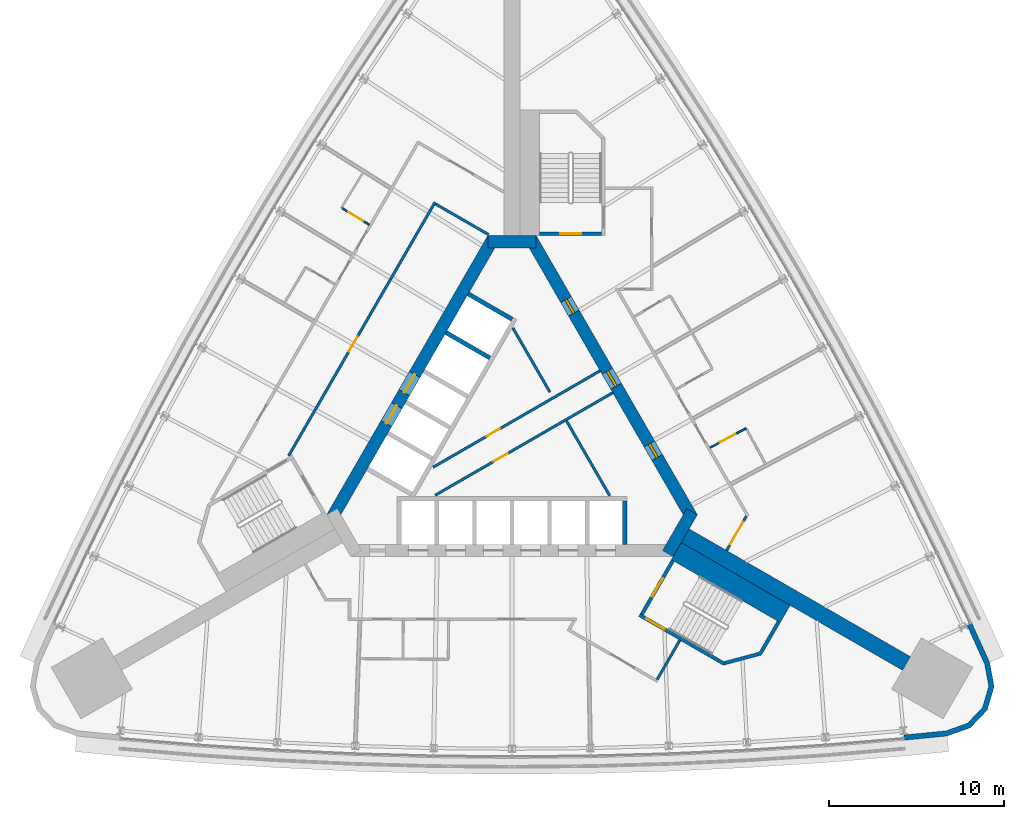
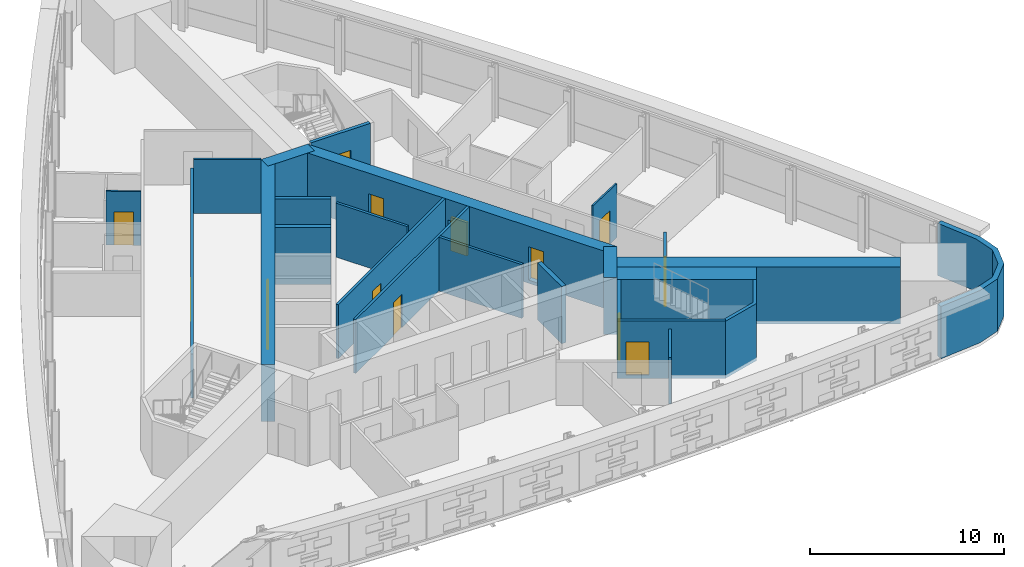
# One storey, part 11 of 15: 24 walls, 14 doors, 14 openings.
"""IFC4 building model written with IfcOpenShell, lengths in metres."""

from ifc_helpers import new_model, si_unit, direction, frame, frame_2d, origin, place, context, subcontext, project, spatial, polyline, rectangle, outline, extrude, material, layer, layer_set, type_object, element, fill, save


model = new_model("IFC4")

# Units and contexts
model_context = context("Model", 3, precision=1e-05, world=origin(), true_north=direction((0.0, 1.0)))
body_context = subcontext(model_context, "Body", "Model", "MODEL_VIEW")
ifc_project = project(units=[si_unit("LENGTHUNIT", "METRE"), si_unit("AREAUNIT", "SQUARE_METRE"), si_unit("VOLUMEUNIT", "CUBIC_METRE"), si_unit("PLANEANGLEUNIT", "RADIAN"), si_unit("MASSUNIT", "GRAM", prefix="KILO")], contexts=[model_context])

# Site, building, storey
site_placement = place(None, origin())
site = spatial("IfcSite", under=ifc_project, at=site_placement, CompositionType="ELEMENT")
building_placement = place(site_placement, origin())
building = spatial("IfcBuilding", under=site, at=building_placement, Name="Noor Cloister Tower", CompositionType="ELEMENT")
storey_placement = place(building_placement, frame((0.0, 0.0, 31.199951171875)))
storey = spatial("IfcBuildingStorey", under=building, at=storey_placement, Name="L07", CompositionType="ELEMENT", Elevation=31.199951171875)

# Wall
ifc_material_1 = material(Name="Concrete C80/95", Category="concrete")
ifc_layer_1 = layer(ifc_material_1, 0.89990234375)
ifc_layer_set_1 = layer_set([ifc_layer_1], Name="Buttress wall 900 C80/95")
wall_type_1 = type_object("IfcWallType", Name="Buttress wall 900 C80/95", PredefinedType="SHEAR", material=ifc_layer_set_1)
wall_1_placement = place(storey_placement, frame((9.921630859375, -5.728271484375, -0.199951171875), z_axis=(0.0, 0.0, 1.0), x_axis=(0.866028046028, -0.499995423472, 0.0)))
element("IfcWall", 1, at=wall_1_placement, inside=storey, type_object=wall_type_1, Name="Buttress wall SE L07", PredefinedType="SHEAR", context=body_context, shape_type="SweptSolid", body=[
    extrude(rectangle(XDim=14.632568359375, YDim=0.89990234375, at=frame_2d((7.31640625, 0.0))), origin(), (0.0, 0.0, 1.0), 3.60009765625),
])

# Wall, opening, door
ifc_material_2 = material(Name="Concrete C30/37", Category="concrete")
ifc_layer_2 = layer(ifc_material_2, 0.14990234375)
ifc_layer_set_2 = layer_set([ifc_layer_2], Name="Core partition 150 C30/37")
wall_type_2 = type_object("IfcWallType", Name="Core partition 150 C30/37", PredefinedType="PARTITIONING", material=ifc_layer_set_2)
wall_2_placement = place(storey_placement, frame((-4.522705078125, -1.80712890625, 0.0), z_axis=(0.0, 0.0, 1.0), x_axis=(0.866030300338, 0.499991518824, 0.0)))
wall_2 = element("IfcWall", 2, at=wall_2_placement, inside=storey, type_object=wall_type_2, Name="Core room partition L07 1", PredefinedType="PARTITIONING", context=body_context, shape_type="SweptSolid", body=[
    extrude(rectangle(XDim=11.048583984375, YDim=0.14990234375, at=frame_2d((5.5244140625, 0.0))), origin(), (0.0, 0.0, 1.0), 3.400146484375),
])
opening_1_placement = place(wall_2_placement, frame((3.525390625, 0.0, 0.0)))
opening_1 = element("IfcOpeningElement", 3, at=opening_1_placement, cuts=wall_2, Name="Opening L07-906", PredefinedType="OPENING", context=body_context, shape_type="SweptSolid", body=[
    extrude(rectangle(XDim=0.89990234375, YDim=2.10009765625, at=frame_2d((0.449951171875, 1.050048828125))), frame((0.0, 0.0849609375, 0.0), z_axis=(0.0, -1.0, 0.0), x_axis=(1.0, 0.0, 0.0)), (0.0, 0.0, 1.0), 0.169921875),
])
ifc_material_3 = material(Name="Steel", Category="steel")
door_type_1 = type_object("IfcDoorType", Name="Core door 900 x 2100 FD60", OperationType="SINGLE_SWING_LEFT", PredefinedType="DOOR", material=ifc_material_3)
door_1_placement = place(opening_1_placement, origin())
door_1 = element("IfcDoor", 4, at=door_1_placement, inside=storey, type_object=door_type_1, Name="Core door 6 L07", OperationType="SINGLE_SWING_RIGHT", OverallHeight=2.10009765625, OverallWidth=0.89990234375, PredefinedType="DOOR", context=body_context, shape_type="SweptSolid", body=[
    extrude(rectangle(XDim=0.89990234375, YDim=2.10009765625, at=frame_2d((0.449951171875, 1.050048828125))), frame((0.0, 0.02490234375, 0.0), z_axis=(0.0, -1.0, 0.0), x_axis=(1.0, 0.0, 0.0)), (0.0, 0.0, 1.0), 0.050048828125),
])
fill(opening_1, door_1)

wall_3_placement = place(storey_placement, frame((-4.404296875, -3.4130859375, 0.0), z_axis=(0.0, 0.0, 1.0), x_axis=(0.866022252853, 0.500005457533, 0.0)))
wall_3 = element("IfcWall", 5, at=wall_3_placement, inside=storey, type_object=wall_type_2, Name="Core room partition L07 2", PredefinedType="PARTITIONING", context=body_context, shape_type="SweptSolid", body=[
    extrude(rectangle(XDim=11.748779296875, YDim=0.14990234375, at=frame_2d((5.87451171875, 0.0))), origin(), (0.0, 0.0, 1.0), 3.400146484375),
])
opening_2_placement = place(wall_3_placement, frame((3.87548828125, 0.0, 0.0)))
opening_2 = element("IfcOpeningElement", 6, at=opening_2_placement, cuts=wall_3, Name="Opening L07-904", PredefinedType="OPENING", context=body_context, shape_type="SweptSolid", body=[
    extrude(rectangle(XDim=0.89990234375, YDim=2.10009765625, at=frame_2d((0.449951171875, 1.050048828125))), frame((0.0, 0.0849609375, 0.0), z_axis=(0.0, -1.0, 0.0), x_axis=(1.0, 0.0, 0.0)), (0.0, 0.0, 1.0), 0.169921875),
])
ifc_material_4 = material(Name="Steel", Category="steel")
door_type_2 = type_object("IfcDoorType", Name="Core door 900 x 2100 FD120", OperationType="SINGLE_SWING_LEFT", PredefinedType="DOOR", material=ifc_material_4)
door_2_placement = place(opening_2_placement, origin())
door_2 = element("IfcDoor", 7, at=door_2_placement, inside=storey, type_object=door_type_2, Name="Core door 4 L07", OperationType="SINGLE_SWING_RIGHT", OverallHeight=2.10009765625, OverallWidth=0.89990234375, PredefinedType="DOOR", context=body_context, shape_type="SweptSolid", body=[
    extrude(rectangle(XDim=0.89990234375, YDim=2.10009765625, at=frame_2d((0.449951171875, 1.050048828125))), frame((0.0, 0.02490234375, 0.0), z_axis=(0.0, -1.0, 0.0), x_axis=(1.0, 0.0, 0.0)), (0.0, 0.0, 1.0), 0.050048828125),
])
fill(opening_2, door_2)

# Walls
wall_4_placement = place(storey_placement, frame((2.173583984375, 2.491943359375, 0.0), z_axis=(0.0, 0.0, 1.0), x_axis=(-0.499999641798, 0.866025610592, 0.0)))
element("IfcWall", 8, at=wall_4_placement, inside=storey, type_object=wall_type_2, Name="Core room partition L07 3", PredefinedType="PARTITIONING", context=body_context, shape_type="SweptSolid", body=[
    extrude(rectangle(XDim=4.244140625, YDim=0.14990234375, at=frame_2d((2.1220703125, 0.0))), origin(), (0.0, 0.0, 1.0), 3.400146484375),
])
wall_5_placement = place(storey_placement, frame((5.597900390625, -3.439208984375, 0.0), z_axis=(0.0, 0.0, 1.0), x_axis=(-0.500007155043, 0.866021272779, 0.0)))
element("IfcWall", 9, at=wall_5_placement, inside=storey, type_object=wall_type_2, Name="Core room partition L07 4", PredefinedType="PARTITIONING", context=body_context, shape_type="SweptSolid", body=[
    extrude(rectangle(XDim=4.94873046875, YDim=0.14990234375, at=frame_2d((2.474365234375, 0.0))), origin(), (0.0, 0.0, 1.0), 3.400146484375),
])
ifc_material_5 = material(Name="Concrete C80/95", Category="concrete")
ifc_layer_3 = layer(ifc_material_5, 0.699951171875)
ifc_layer_set_3 = layer_set([ifc_layer_3], Name="Core wall 700 C80/95")
wall_type_3 = type_object("IfcWallType", Name="Core wall 700 C80/95", PredefinedType="SHEAR", material=ifc_layer_set_3)
wall_6_placement = place(storey_placement, frame((8.925537109375, -6.753173828125, -0.199951171875), z_axis=(0.0, 0.0, 1.0), x_axis=(0.500042739161, 0.866000726912, 0.0)))
element("IfcWall", 10, at=wall_6_placement, inside=storey, type_object=wall_type_3, Name="Core wall L07 2", PredefinedType="SHEAR", context=body_context, shape_type="SweptSolid", body=[
    extrude(rectangle(XDim=2.771240234375, YDim=0.699951171875, at=frame_2d((1.3857421875, 0.0))), origin(), (0.0, 0.0, 1.0), 3.60009765625),
])

# Wall, openings, doors
wall_7_placement = place(storey_placement, frame((10.311279296875, -4.703125, -0.199951171875), z_axis=(0.0, 0.0, 1.0), x_axis=(-0.500001446645, 0.866024568562, 0.0)))
wall_7 = element("IfcWall", 11, at=wall_7_placement, inside=storey, type_object=wall_type_3, Name="Core wall L07 3", PredefinedType="SHEAR", context=body_context, shape_type="SweptSolid", body=[
    extrude(rectangle(XDim=18.45751953125, YDim=0.699951171875, at=frame_2d((9.228759765625, 0.0))), origin(), (0.0, 0.0, 1.0), 3.60009765625),
])
opening_3_placement = place(wall_7_placement, frame((8.699951171875, 0.0, 0.199951171875)))
opening_3 = element("IfcOpeningElement", 12, at=opening_3_placement, cuts=wall_7, Name="Opening L07-901", PredefinedType="OPENING", context=body_context, shape_type="SweptSolid", body=[
    extrude(rectangle(XDim=1.0, YDim=2.10009765625, at=frame_2d((0.5, 1.050048828125))), frame((0.0, 0.35986328125, 0.0), z_axis=(0.0, -1.0, 0.0), x_axis=(1.0, 0.0, 0.0)), (0.0, 0.0, 1.0), 0.719970703125),
])
opening_4_placement = place(wall_7_placement, frame((3.989501953125, 0.0, 0.199951171875)))
opening_4 = element("IfcOpeningElement", 13, at=opening_4_placement, cuts=wall_7, Name="Opening L07-902", PredefinedType="OPENING", context=body_context, shape_type="SweptSolid", body=[
    extrude(rectangle(XDim=0.89990234375, YDim=2.10009765625, at=frame_2d((0.449951171875, 1.050048828125))), frame((0.0, 0.35986328125, 0.0), z_axis=(0.0, -1.0, 0.0), x_axis=(1.0, 0.0, 0.0)), (0.0, 0.0, 1.0), 0.719970703125),
])
opening_5_placement = place(wall_7_placement, frame((13.539306640625, 0.0, 0.199951171875)))
opening_5 = element("IfcOpeningElement", 14, at=opening_5_placement, cuts=wall_7, Name="Opening L07-903", PredefinedType="OPENING", context=body_context, shape_type="SweptSolid", body=[
    extrude(rectangle(XDim=0.89990234375, YDim=2.10009765625, at=frame_2d((0.449951171875, 1.050048828125))), frame((0.0, 0.35986328125, 0.0), z_axis=(0.0, -1.0, 0.0), x_axis=(1.0, 0.0, 0.0)), (0.0, 0.0, 1.0), 0.719970703125),
])
ifc_material_6 = material(Name="Steel", Category="steel")
door_type_3 = type_object("IfcDoorType", Name="Core door 1000 x 2100 FD120", OperationType="SINGLE_SWING_LEFT", PredefinedType="DOOR", material=ifc_material_6)
door_3_placement = place(opening_3_placement, origin())
door_3 = element("IfcDoor", 15, at=door_3_placement, inside=storey, type_object=door_type_3, Name="Core door 1 L07", OperationType="SINGLE_SWING_LEFT", OverallHeight=2.10009765625, OverallWidth=1.0, PredefinedType="DOOR", context=body_context, shape_type="SweptSolid", body=[
    extrude(rectangle(XDim=1.0, YDim=2.10009765625, at=frame_2d((0.5, 1.050048828125))), frame((0.0, 0.074951171875, 0.0), z_axis=(0.0, -1.0, 0.0), x_axis=(1.0, 0.0, 0.0)), (0.0, 0.0, 1.0), 0.14990234375),
])
fill(opening_3, door_3)
door_4_placement = place(opening_4_placement, origin())
door_4 = element("IfcDoor", 16, at=door_4_placement, inside=storey, type_object=door_type_2, Name="Core door 2 L07", OperationType="SINGLE_SWING_RIGHT", OverallHeight=2.10009765625, OverallWidth=0.89990234375, PredefinedType="DOOR", context=body_context, shape_type="SweptSolid", body=[
    extrude(rectangle(XDim=0.89990234375, YDim=2.10009765625, at=frame_2d((0.449951171875, 1.050048828125))), frame((0.0, 0.074951171875, 0.0), z_axis=(0.0, -1.0, 0.0), x_axis=(1.0, 0.0, 0.0)), (0.0, 0.0, 1.0), 0.14990234375),
])
fill(opening_4, door_4)
door_5_placement = place(opening_5_placement, origin())
door_5 = element("IfcDoor", 17, at=door_5_placement, inside=storey, type_object=door_type_2, Name="Core door 3 L07", OperationType="SINGLE_SWING_LEFT", OverallHeight=2.10009765625, OverallWidth=0.89990234375, PredefinedType="DOOR", context=body_context, shape_type="SweptSolid", body=[
    extrude(rectangle(XDim=0.89990234375, YDim=2.10009765625, at=frame_2d((0.449951171875, 1.050048828125))), frame((0.0, 0.074951171875, 0.0), z_axis=(0.0, -1.0, 0.0), x_axis=(1.0, 0.0, 0.0)), (0.0, 0.0, 1.0), 0.14990234375),
])
fill(opening_5, door_5)

# Wall
wall_8_placement = place(storey_placement, frame((1.3857421875, 11.1064453125, -0.199951171875), z_axis=(0.0, 0.0, 1.0), x_axis=(-1.0, 0.0, 0.0)))
element("IfcWall", 18, at=wall_8_placement, inside=storey, type_object=wall_type_3, Name="Core wall L07 4", PredefinedType="SHEAR", context=body_context, shape_type="SweptSolid", body=[
    extrude(rectangle(XDim=2.771484375, YDim=0.699951171875, at=frame_2d((1.3857421875, 0.0))), origin(), (0.0, 0.0, 1.0), 3.60009765625),
])

# Wall, openings, doors
wall_9_placement = place(storey_placement, frame((-1.08251953125, 11.281494140625, -0.199951171875), z_axis=(0.0, 0.0, 1.0), x_axis=(-0.500001446645, -0.866024568562, 0.0)))
wall_9 = element("IfcWall", 19, at=wall_9_placement, inside=storey, type_object=wall_type_3, Name="Core wall L07 5", PredefinedType="SHEAR", context=body_context, shape_type="SweptSolid", body=[
    extrude(rectangle(XDim=18.45751953125, YDim=0.699951171875, at=frame_2d((9.228759765625, 0.0))), origin(), (0.0, 0.0, 1.0), 3.60009765625),
])
opening_6_placement = place(wall_9_placement, frame((8.978759765625, 0.0, 0.199951171875)))
opening_6 = element("IfcOpeningElement", 20, at=opening_6_placement, cuts=wall_9, Name="Opening L07-FF1", PredefinedType="OPENING", context=body_context, shape_type="SweptSolid", body=[
    extrude(rectangle(XDim=1.199951171875, YDim=2.10009765625, at=frame_2d((0.60009765625, 1.050048828125))), frame((0.0, 0.35986328125, 0.0), z_axis=(0.0, -1.0, 0.0), x_axis=(1.0, 0.0, 0.0)), (0.0, 0.0, 1.0), 0.719970703125),
])
opening_7_placement = place(wall_9_placement, frame((11.02880859375, 0.0, 0.199951171875)))
opening_7 = element("IfcOpeningElement", 21, at=opening_7_placement, cuts=wall_9, Name="Opening L07-FF2", PredefinedType="OPENING", context=body_context, shape_type="SweptSolid", body=[
    extrude(rectangle(XDim=1.199951171875, YDim=2.10009765625, at=frame_2d((0.60009765625, 1.050048828125))), frame((0.0, 0.35986328125, 0.0), z_axis=(0.0, -1.0, 0.0), x_axis=(1.0, 0.0, 0.0)), (0.0, 0.0, 1.0), 0.719970703125),
])
ifc_material_7 = material(Name="Stainless steel", Category="steel")
door_type_4 = type_object("IfcDoorType", Name="Lift landing door 1200 x 2100", OperationType="DOUBLE_DOOR_SLIDING", PredefinedType="DOOR", material=ifc_material_7)
door_6_placement = place(opening_6_placement, origin())
door_6 = element("IfcDoor", 22, at=door_6_placement, inside=storey, type_object=door_type_4, Name="Landing door FF1 L07", OperationType="DOUBLE_DOOR_SLIDING", OverallHeight=2.10009765625, OverallWidth=1.199951171875, PredefinedType="DOOR", context=body_context, shape_type="SweptSolid", body=[
    extrude(rectangle(XDim=1.199951171875, YDim=2.10009765625, at=frame_2d((0.60009765625, 1.050048828125))), frame((0.0, 0.02490234375, 0.0), z_axis=(0.0, -1.0, 0.0), x_axis=(1.0, 0.0, 0.0)), (0.0, 0.0, 1.0), 0.050048828125),
])
fill(opening_6, door_6)
door_7_placement = place(opening_7_placement, origin())
door_7 = element("IfcDoor", 23, at=door_7_placement, inside=storey, type_object=door_type_4, Name="Landing door FF2 L07", OperationType="DOUBLE_DOOR_SLIDING", OverallHeight=2.10009765625, OverallWidth=1.199951171875, PredefinedType="DOOR", context=body_context, shape_type="SweptSolid", body=[
    extrude(rectangle(XDim=1.199951171875, YDim=2.10009765625, at=frame_2d((0.60009765625, 1.050048828125))), frame((0.0, 0.02490234375, 0.0), z_axis=(0.0, -1.0, 0.0), x_axis=(1.0, 0.0, 0.0)), (0.0, 0.0, 1.0), 0.050048828125),
])
fill(opening_7, door_7)

# Wall, opening, door
ifc_material_8 = material(Name="Fire-rated gypsum board partition on steel studs, 150 mm", Category="steel")
ifc_layer_4 = layer(ifc_material_8, 0.14990234375)
ifc_layer_set_4 = layer_set([ifc_layer_4], Name="Fire lobby wall 150")
wall_type_4 = type_object("IfcWallType", Name="Fire lobby wall 150", PredefinedType="PARTITIONING", material=ifc_layer_set_4)
wall_10_placement = place(storey_placement, frame((-4.40673828125, 13.373779296875, 0.0), z_axis=(0.0, 0.0, 1.0), x_axis=(-0.499997181693, -0.866027030928, 0.0)))
wall_10 = element("IfcWall", 24, at=wall_10_placement, inside=storey, type_object=wall_type_4, Name="Fire lobby wall 150 L07 002", PredefinedType="PARTITIONING", context=body_context, shape_type="SweptSolid", body=[
    extrude(rectangle(XDim=16.76953125, YDim=0.14990234375, at=frame_2d((8.384765625, 0.0))), origin(), (0.0, 0.0, 1.0), 2.76806640625),
])
opening_8_placement = place(wall_10_placement, frame((8.878662109375, 0.0, 0.0)))
opening_8 = element("IfcOpeningElement", 25, at=opening_8_placement, cuts=wall_10, Name="Opening L07-004", PredefinedType="OPENING", context=body_context, shape_type="SweptSolid", body=[
    extrude(rectangle(XDim=1.0, YDim=2.10009765625, at=frame_2d((0.5, 1.050048828125))), frame((0.0, 0.0849609375, 0.0), z_axis=(0.0, -1.0, 0.0), x_axis=(1.0, 0.0, 0.0)), (0.0, 0.0, 1.0), 0.169921875),
])
ifc_material_9 = material(Name="Timber door leaf with steel frame", Category="steel")
door_type_5 = type_object("IfcDoorType", Name="Fire lobby door 1000", OperationType="NOTDEFINED", PredefinedType="DOOR", material=ifc_material_9)
door_8_placement = place(opening_8_placement, origin())
door_8 = element("IfcDoor", 26, at=door_8_placement, inside=storey, type_object=door_type_5, Name="Fire lobby door 1000 L07-004", OperationType="SINGLE_SWING_RIGHT", OverallHeight=2.10009765625, OverallWidth=1.0, PredefinedType="DOOR", context=body_context, shape_type="SweptSolid", body=[
    extrude(rectangle(XDim=1.0, YDim=2.10009765625, at=frame_2d((0.5, 1.050048828125))), frame((0.0, 0.02490234375, 0.0), z_axis=(0.0, -1.0, 0.0), x_axis=(1.0, 0.0, 0.0)), (0.0, 0.0, 1.0), 0.050048828125),
])
fill(opening_8, door_8)

# Walls
wall_11_placement = place(storey_placement, frame((-4.379150390625, 13.271484375, 0.0), z_axis=(0.0, 0.0, 1.0), x_axis=(0.866019471182, -0.500010275428, 0.0)))
element("IfcWall", 27, at=wall_11_placement, inside=storey, type_object=wall_type_4, Name="Fire lobby wall 150 L07 008", PredefinedType="PARTITIONING", context=body_context, shape_type="SweptSolid", body=[
    extrude(rectangle(XDim=3.5, YDim=0.14990234375, at=frame_2d((1.75, 0.0))), origin(), (0.0, 0.0, 1.0), 3.400146484375),
])
ifc_material_10 = material(Name="Gypsum board partition on steel studs, 150 mm", Category="steel")
ifc_layer_5 = layer(ifc_material_10, 0.14990234375)
ifc_layer_set_5 = layer_set([ifc_layer_5], Name="Flat wall 150")
wall_type_5 = type_object("IfcWallType", Name="Flat wall 150", PredefinedType="PARTITIONING", material=ifc_layer_set_5)
wall_12_placement = place(storey_placement, frame((8.313720703125, -13.963134765625, 0.0), z_axis=(0.0, 0.0, 1.0), x_axis=(0.499936506574, 0.866062058628, 0.0)))
element("IfcWall", 28, at=wall_12_placement, inside=storey, type_object=wall_type_5, Name="Flat wall 150 L07 010", PredefinedType="PARTITIONING", context=body_context, shape_type="SweptSolid", body=[
    extrude(rectangle(XDim=2.599853515625, YDim=0.14990234375, at=frame_2d((1.2998046875, 0.0))), origin(), (0.0, 0.0, 1.0), 2.923095703125),
])

# Wall, opening, door
wall_13_placement = place(storey_placement, frame((13.4208984375, -4.616943359375, 0.0), z_axis=(0.0, 0.0, 1.0), x_axis=(-0.499946688677, -0.866056180903, 0.0)))
wall_13 = element("IfcWall", 29, at=wall_13_placement, inside=storey, type_object=wall_type_5, Name="Flat wall 150 L07 012", PredefinedType="PARTITIONING", context=body_context, shape_type="SweptSolid", body=[
    extrude(rectangle(XDim=2.261962890625, YDim=0.14990234375, at=frame_2d((1.130859375, 0.0))), origin(), (0.0, 0.0, 1.0), 3.400146484375),
])
opening_9_placement = place(wall_13_placement, frame((0.3671875, 0.0, 0.0)))
opening_9 = element("IfcOpeningElement", 30, at=opening_9_placement, cuts=wall_13, Name="Opening L07-014", PredefinedType="OPENING", context=body_context, shape_type="SweptSolid", body=[
    extrude(rectangle(XDim=1.5, YDim=2.10009765625, at=frame_2d((0.75, 1.050048828125))), frame((0.0, 0.0849609375, 0.0), z_axis=(0.0, -1.0, 0.0), x_axis=(1.0, 0.0, 0.0)), (0.0, 0.0, 1.0), 0.169921875),
])
ifc_material_11 = material(Name="Timber door leaf with steel frame", Category="steel")
door_type_6 = type_object("IfcDoorType", Name="Double door 1500 FD60", OperationType="NOTDEFINED", PredefinedType="DOOR", material=ifc_material_11)
door_9_placement = place(opening_9_placement, origin())
door_9 = element("IfcDoor", 31, at=door_9_placement, inside=storey, type_object=door_type_6, Name="Double door 1500 L07-014", OperationType="DOUBLE_DOOR_SINGLE_SWING", OverallHeight=2.10009765625, OverallWidth=1.5, PredefinedType="DOOR", context=body_context, shape_type="SweptSolid", body=[
    extrude(rectangle(XDim=1.5, YDim=2.10009765625, at=frame_2d((0.75, 1.050048828125))), frame((0.0, 0.02490234375, 0.0), z_axis=(0.0, -1.0, 0.0), x_axis=(1.0, 0.0, 0.0)), (0.0, 0.0, 1.0), 0.050048828125),
])
fill(opening_9, door_9)

# Wall
ifc_material_12 = material(Name="Limestone", Category="masonry")
ifc_layer_6 = layer(ifc_material_12, 0.300048828125)
ifc_layer_set_6 = layer_set([ifc_layer_6], Name="Limestone cladding 300")
wall_type_6 = type_object("IfcWallType", Name="Limestone cladding 300", PredefinedType="NOTDEFINED", material=ifc_layer_set_6)
wall_14_placement = place(storey_placement, origin())
element("IfcWall", 32, at=wall_14_placement, inside=storey, type_object=wall_type_6, Name="Limestone pier cladding L07 2.1", PredefinedType="NOTDEFINED", context=body_context, shape_type="SweptSolid", body=[
    extrude(outline(polyline([(22.4677734375, -17.440185546875), (24.9287109375, -17.19873046875), (26.251953125, -16.73193359375), (27.21826171875, -15.714599609375), (27.6162109375, -14.368896484375), (27.35888671875, -12.989501953125), (26.337646484375, -10.737548828125), (26.064453125, -10.861328125), (27.070556640625, -13.080322265625), (27.30810546875, -14.35302734375), (26.951171875, -15.560302734375), (26.084228515625, -16.47314453125), (24.863037109375, -16.903564453125), (22.4384765625, -17.1416015625), (22.4677734375, -17.440185546875)])), origin(), (0.0, 0.0, 1.0), 3.300048828125),
])

# Wall, opening, door
ifc_material_13 = material(Name="Gypsum board partition on steel studs, 100 mm", Category="steel")
ifc_layer_7 = layer(ifc_material_13, 0.10009765625)
ifc_layer_set_7 = layer_set([ifc_layer_7], Name="Partition 100")
wall_type_7 = type_object("IfcWallType", Name="Partition 100", PredefinedType="PARTITIONING", material=ifc_layer_set_7)
wall_15_placement = place(storey_placement, frame((13.408203125, 0.427490234375, 0.0), z_axis=(0.0, 0.0, 1.0), x_axis=(-0.879611235398, -0.475693256797, 0.0)))
wall_15 = element("IfcWall", 33, at=wall_15_placement, inside=storey, type_object=wall_type_7, Name="Partition 100 L07 031", PredefinedType="PARTITIONING", context=body_context, shape_type="SweptSolid", body=[
    extrude(rectangle(XDim=2.346923828125, YDim=0.10009765625, at=frame_2d((1.17333984375, 0.0))), origin(), (0.0, 0.0, 1.0), 3.400146484375),
])
opening_10_placement = place(wall_15_placement, frame((0.699951171875, 0.0, 0.0)))
opening_10 = element("IfcOpeningElement", 34, at=opening_10_placement, cuts=wall_15, Name="Opening L07-018", PredefinedType="OPENING", context=body_context, shape_type="SweptSolid", body=[
    extrude(rectangle(XDim=1.0, YDim=2.10009765625, at=frame_2d((0.5, 1.050048828125))), frame((0.0, 0.06005859375, 0.0), z_axis=(0.0, -1.0, 0.0), x_axis=(1.0, 0.0, 0.0)), (0.0, 0.0, 1.0), 0.1201171875),
])
ifc_material_14 = material(Name="Timber door leaf with steel frame", Category="steel")
door_type_7 = type_object("IfcDoorType", Name="Interior door 1000", OperationType="NOTDEFINED", PredefinedType="DOOR", material=ifc_material_14)
door_10_placement = place(opening_10_placement, origin())
door_10 = element("IfcDoor", 35, at=door_10_placement, inside=storey, type_object=door_type_7, Name="Interior door 1000 L07-018", OperationType="SINGLE_SWING_RIGHT", OverallHeight=2.10009765625, OverallWidth=1.0, PredefinedType="DOOR", context=body_context, shape_type="SweptSolid", body=[
    extrude(rectangle(XDim=1.0, YDim=2.10009765625, at=frame_2d((0.5, 1.050048828125))), frame((0.0, 0.02490234375, 0.0), z_axis=(0.0, -1.0, 0.0), x_axis=(1.0, 0.0, 0.0)), (0.0, 0.0, 1.0), 0.050048828125),
])
fill(opening_10, door_10)

wall_16_placement = place(storey_placement, frame((-9.72509765625, 13.028564453125, 0.0), z_axis=(0.0, 0.0, 1.0), x_axis=(0.851755692017, -0.523939157839, 0.0)))
wall_16 = element("IfcWall", 36, at=wall_16_placement, inside=storey, type_object=wall_type_7, Name="Partition 100 L07 038", PredefinedType="PARTITIONING", context=body_context, shape_type="SweptSolid", body=[
    extrude(rectangle(XDim=1.8076171875, YDim=0.10009765625, at=frame_2d((0.90380859375, 0.0))), origin(), (0.0, 0.0, 1.0), 3.400146484375),
])
opening_11_placement = place(wall_16_placement, frame((0.406005859375, 0.0, 0.0)))
opening_11 = element("IfcOpeningElement", 37, at=opening_11_placement, cuts=wall_16, Name="Opening L07-020", PredefinedType="OPENING", context=body_context, shape_type="SweptSolid", body=[
    extrude(rectangle(XDim=1.0, YDim=2.10009765625, at=frame_2d((0.5, 1.050048828125))), frame((0.0, 0.06005859375, 0.0), z_axis=(0.0, -1.0, 0.0), x_axis=(1.0, 0.0, 0.0)), (0.0, 0.0, 1.0), 0.1201171875),
])
door_11_placement = place(opening_11_placement, origin())
door_11 = element("IfcDoor", 38, at=door_11_placement, inside=storey, type_object=door_type_7, Name="Interior door 1000 L07-020", OperationType="SINGLE_SWING_RIGHT", OverallHeight=2.10009765625, OverallWidth=1.0, PredefinedType="DOOR", context=body_context, shape_type="SweptSolid", body=[
    extrude(rectangle(XDim=1.0, YDim=2.10009765625, at=frame_2d((0.5, 1.050048828125))), frame((0.0, 0.02490234375, 0.0), z_axis=(0.0, -1.0, 0.0), x_axis=(1.0, 0.0, 0.0)), (0.0, 0.0, 1.0), 0.050048828125),
])
fill(opening_11, door_11)

# Walls
ifc_material_15 = material(Name="Concrete C80/95", Category="concrete")
ifc_layer_8 = layer(ifc_material_15, 0.25)
ifc_layer_set_8 = layer_set([ifc_layer_8], Name="Shaft wall 250 C80/95")
wall_type_8 = type_object("IfcWallType", Name="Shaft wall 250 C80/95", PredefinedType="PARTITIONING", material=ifc_layer_set_8)
wall_17_placement = place(storey_placement, frame((6.449951171875, -6.228271484375, -0.199951171875), z_axis=(0.0, 0.0, 1.0), x_axis=(0.0, 1.0, 0.0)))
element("IfcWall", 39, at=wall_17_placement, inside=storey, type_object=wall_type_8, Name="Lift shaft wall L07 S 7", PredefinedType="PARTITIONING", context=body_context, shape_type="SweptSolid", body=[
    extrude(rectangle(XDim=2.5, YDim=0.25, at=frame_2d((1.25, 0.0))), origin(), (0.0, 0.0, 1.0), 3.60009765625),
])
wall_18_placement = place(storey_placement, frame((-2.50634765625, 8.115478515625, -0.199951171875), z_axis=(0.0, 0.0, 1.0), x_axis=(0.865996321171, -0.50005036918, 0.0)))
element("IfcWall", 40, at=wall_18_placement, inside=storey, type_object=wall_type_8, Name="Lift shaft wall L07 NW 1", PredefinedType="PARTITIONING", context=body_context, shape_type="SweptSolid", body=[
    extrude(rectangle(XDim=2.900146484375, YDim=0.25, at=frame_2d((1.4501953125, 0.0))), origin(), (0.0, 0.0, 1.0), 3.60009765625),
])
wall_19_placement = place(storey_placement, frame((-3.78125, 5.906982421875, -0.199951171875), z_axis=(0.0, 0.0, 1.0), x_axis=(0.866032775405, -0.499987231761, 0.0)))
element("IfcWall", 41, at=wall_19_placement, inside=storey, type_object=wall_type_8, Name="Lift shaft wall L07 NW 2", PredefinedType="PARTITIONING", context=body_context, shape_type="SweptSolid", body=[
    extrude(rectangle(XDim=2.89990234375, YDim=0.25, at=frame_2d((1.449951171875, 0.0))), origin(), (0.0, 0.0, 1.0), 3.60009765625),
])
ifc_material_16 = material(Name="Concrete C80/95", Category="concrete")
ifc_layer_9 = layer(ifc_material_16, 1.135986328125)
ifc_layer_set_9 = layer_set([ifc_layer_9], Name="Stair enclosure wall 1136 C80/95")
wall_type_9 = type_object("IfcWallType", Name="Stair enclosure wall 1136 C80/95", PredefinedType="SHEAR", material=ifc_layer_set_9)
wall_20_placement = place(storey_placement, frame((9.41259765625, -6.609619140625, -0.199951171875), z_axis=(0.0, 0.0, 1.0), x_axis=(0.866018442252, -0.500012057535, 0.0)))
element("IfcWall", 42, at=wall_20_placement, inside=storey, type_object=wall_type_9, Name="Stair enclosure wall ST3 L07 riser side", PredefinedType="SHEAR", context=body_context, shape_type="SweptSolid", body=[
    extrude(rectangle(XDim=7.199951171875, YDim=1.1357421875, at=frame_2d((3.60009765625, 0.0))), origin(), (0.0, 0.0, 1.0), 3.60009765625),
])

# Wall, opening, door
ifc_material_17 = material(Name="Concrete C80/95", Category="concrete")
ifc_layer_10 = layer(ifc_material_17, 0.199951171875)
ifc_layer_set_10 = layer_set([ifc_layer_10], Name="Stair enclosure wall 200 C80/95")
wall_type_10 = type_object("IfcWallType", Name="Stair enclosure wall 200 C80/95", PredefinedType="SHEAR", material=ifc_layer_set_10)
wall_21_placement = place(storey_placement, frame((5.135498046875, 11.556396484375, -0.199951171875), z_axis=(0.0, 0.0, 1.0), x_axis=(-1.0, 0.0, 0.0)))
wall_21 = element("IfcWall", 43, at=wall_21_placement, inside=storey, type_object=wall_type_10, Name="Stair enclosure wall ST1 L07 near end", PredefinedType="SHEAR", context=body_context, shape_type="SweptSolid", body=[
    extrude(rectangle(XDim=3.5498046875, YDim=0.199951171875, at=frame_2d((1.77490234375, 0.0))), origin(), (0.0, 0.0, 1.0), 3.60009765625),
])
opening_12_placement = place(wall_21_placement, frame((1.175048828125, 0.0, 0.199951171875)))
opening_12 = element("IfcOpeningElement", 44, at=opening_12_placement, cuts=wall_21, Name="Opening L07-ST1L", PredefinedType="OPENING", context=body_context, shape_type="SweptSolid", body=[
    extrude(rectangle(XDim=1.199951171875, YDim=2.10009765625, at=frame_2d((0.60009765625, 1.050048828125))), frame((0.0, 0.10986328125, 0.0), z_axis=(0.0, -1.0, 0.0), x_axis=(1.0, 0.0, 0.0)), (0.0, 0.0, 1.0), 0.219970703125),
])
ifc_material_18 = material(Name="Steel", Category="steel")
door_type_8 = type_object("IfcDoorType", Name="Stair door 1200 x 2100 FD120", OperationType="SINGLE_SWING_LEFT", PredefinedType="DOOR", material=ifc_material_18)
door_12_placement = place(opening_12_placement, origin())
door_12 = element("IfcDoor", 45, at=door_12_placement, inside=storey, type_object=door_type_8, Name="Stair door ST1 L07", OperationType="SINGLE_SWING_RIGHT", OverallHeight=2.10009765625, OverallWidth=1.199951171875, PredefinedType="DOOR", context=body_context, shape_type="SweptSolid", body=[
    extrude(rectangle(XDim=1.199951171875, YDim=2.10009765625, at=frame_2d((0.60009765625, 1.050048828125))), frame((0.0, 0.02490234375, 0.0), z_axis=(0.0, -1.0, 0.0), x_axis=(1.0, 0.0, 0.0)), (0.0, 0.0, 1.0), 0.050048828125),
])
fill(opening_12, door_12)

wall_22_placement = place(storey_placement, frame((7.440185546875, -10.225830078125, -0.199951171875), z_axis=(0.0, 0.0, 1.0), x_axis=(0.500022077904, 0.866012656725, 0.0)))
wall_22 = element("IfcWall", 46, at=wall_22_placement, inside=storey, type_object=wall_type_10, Name="Stair enclosure wall ST3 L07 near end", PredefinedType="SHEAR", context=body_context, shape_type="SweptSolid", body=[
    extrude(rectangle(XDim=3.550048828125, YDim=0.199951171875, at=frame_2d((1.77490234375, 0.0))), origin(), (0.0, 0.0, 1.0), 3.60009765625),
])
opening_13_placement = place(wall_22_placement, frame((1.175048828125, 0.0, 0.199951171875)))
opening_13 = element("IfcOpeningElement", 47, at=opening_13_placement, cuts=wall_22, Name="Opening L07-ST3L", PredefinedType="OPENING", context=body_context, shape_type="SweptSolid", body=[
    extrude(rectangle(XDim=1.199951171875, YDim=2.10009765625, at=frame_2d((0.60009765625, 1.050048828125))), frame((0.0, 0.10986328125, 0.0), z_axis=(0.0, -1.0, 0.0), x_axis=(1.0, 0.0, 0.0)), (0.0, 0.0, 1.0), 0.219970703125),
])
door_13_placement = place(opening_13_placement, origin())
door_13 = element("IfcDoor", 48, at=door_13_placement, inside=storey, type_object=door_type_8, Name="Stair door ST3 L07", OperationType="SINGLE_SWING_RIGHT", OverallHeight=2.10009765625, OverallWidth=1.199951171875, PredefinedType="DOOR", context=body_context, shape_type="SweptSolid", body=[
    extrude(rectangle(XDim=1.199951171875, YDim=2.10009765625, at=frame_2d((0.60009765625, 1.050048828125))), frame((0.0, 0.02490234375, 0.0), z_axis=(0.0, -1.0, 0.0), x_axis=(1.0, 0.0, 0.0)), (0.0, 0.0, 1.0), 0.050048828125),
])
fill(opening_13, door_13)

wall_23_placement = place(storey_placement, frame((7.3037109375, -10.262451171875, -0.199951171875), z_axis=(0.0, 0.0, 1.0), x_axis=(0.866026594901, -0.49999793692, 0.0)))
wall_23 = element("IfcWall", 49, at=wall_23_placement, inside=storey, type_object=wall_type_10, Name="Stair enclosure wall ST3 L07 outer side", PredefinedType="SHEAR", context=body_context, shape_type="SweptSolid", body=[
    extrude(rectangle(XDim=5.60009765625, YDim=0.199951171875, at=frame_2d((2.800048828125, 0.0))), origin(), (0.0, 0.0, 1.0), 3.60009765625),
])
opening_14_placement = place(wall_23_placement, frame((0.449951171875, 0.0, 0.199951171875)))
opening_14 = element("IfcOpeningElement", 50, at=opening_14_placement, cuts=wall_23, Name="Opening L07-ST3C", PredefinedType="OPENING", context=body_context, shape_type="SweptSolid", body=[
    extrude(rectangle(XDim=1.199951171875, YDim=2.10009765625, at=frame_2d((0.60009765625, 1.050048828125))), frame((0.0, 0.10986328125, 0.0), z_axis=(0.0, -1.0, 0.0), x_axis=(1.0, 0.0, 0.0)), (0.0, 0.0, 1.0), 0.219970703125),
])
door_14_placement = place(opening_14_placement, origin())
door_14 = element("IfcDoor", 51, at=door_14_placement, inside=storey, type_object=door_type_8, Name="Stair door ST3 L07", OperationType="SINGLE_SWING_LEFT", OverallHeight=2.10009765625, OverallWidth=1.199951171875, PredefinedType="DOOR", context=body_context, shape_type="SweptSolid", body=[
    extrude(rectangle(XDim=1.199951171875, YDim=2.10009765625, at=frame_2d((0.60009765625, 1.050048828125))), frame((0.0, 0.02490234375, 0.0), z_axis=(0.0, -1.0, 0.0), x_axis=(1.0, 0.0, 0.0)), (0.0, 0.0, 1.0), 0.050048828125),
])
fill(opening_14, door_14)

# Wall
ifc_material_19 = material(Name="Concrete C80/95", Category="concrete")
wall_type_11 = type_object("IfcWallType", Name="Stair far end wall C80/95", PredefinedType="SHEAR", material=ifc_material_19)
wall_24_placement = place(storey_placement, frame((0.0, 0.0, -0.199951171875)))
element("IfcWall", 52, at=wall_24_placement, inside=storey, type_object=wall_type_11, Name="Stair enclosure wall ST3 L07 far end", PredefinedType="SHEAR", context=body_context, shape_type="SweptSolid", body=[
    extrude(outline(polyline([(12.103515625, -13.14892578125), (14.2890625, -12.5634765625), (15.364013671875, -10.701416015625), (15.19091796875, -10.601318359375), (14.1572265625, -12.3916015625), (12.131591796875, -12.934326171875), (12.20361328125, -12.975830078125), (12.20361328125, -12.975830078125), (12.20361328125, -12.975830078125), (12.20361328125, -12.975830078125), (12.20361328125, -12.975830078125), (12.20361328125, -12.975830078125), (12.20361328125, -12.975830078125), (12.20361328125, -12.975830078125), (12.20361328125, -12.975830078125), (12.20361328125, -12.975830078125), (12.20361328125, -12.975830078125), (12.20361328125, -12.975830078125), (12.20361328125, -12.975830078125), (12.20361328125, -12.975830078125), (12.20361328125, -12.975830078125), (12.20361328125, -12.975830078125), (12.20361328125, -12.975830078125), (12.103515625, -13.14892578125)])), origin(), (0.0, 0.0, 1.0), 3.60009765625),
])

save(model, "model.ifc")
